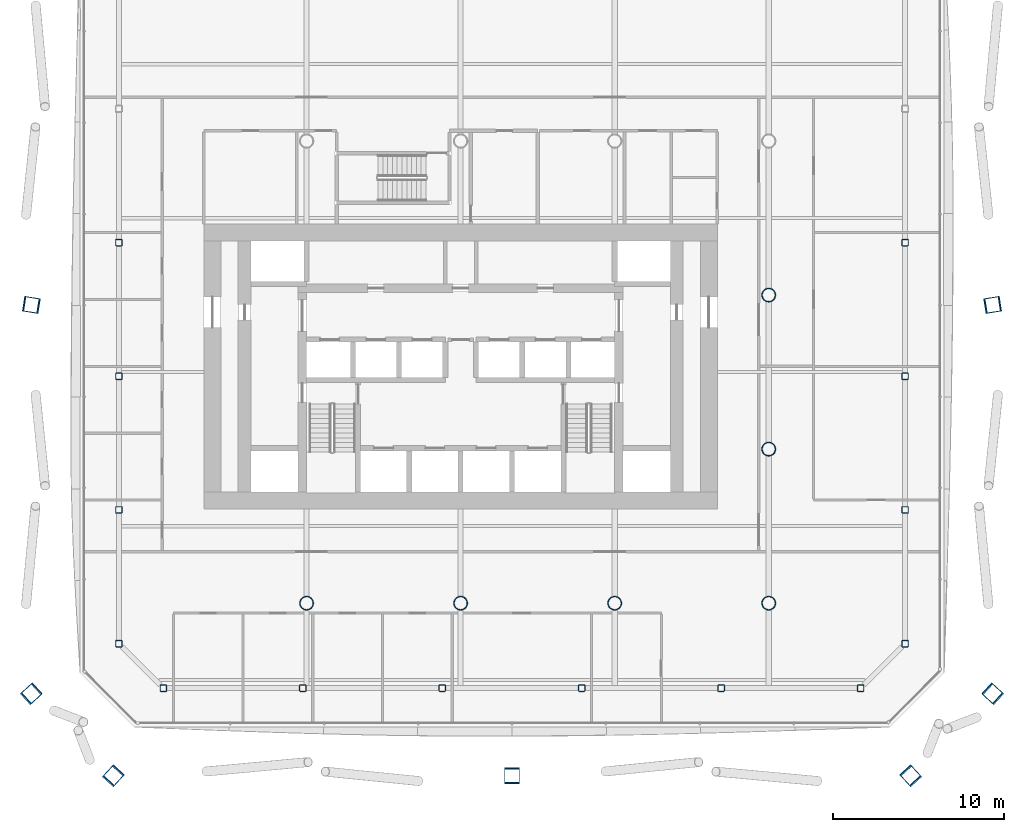
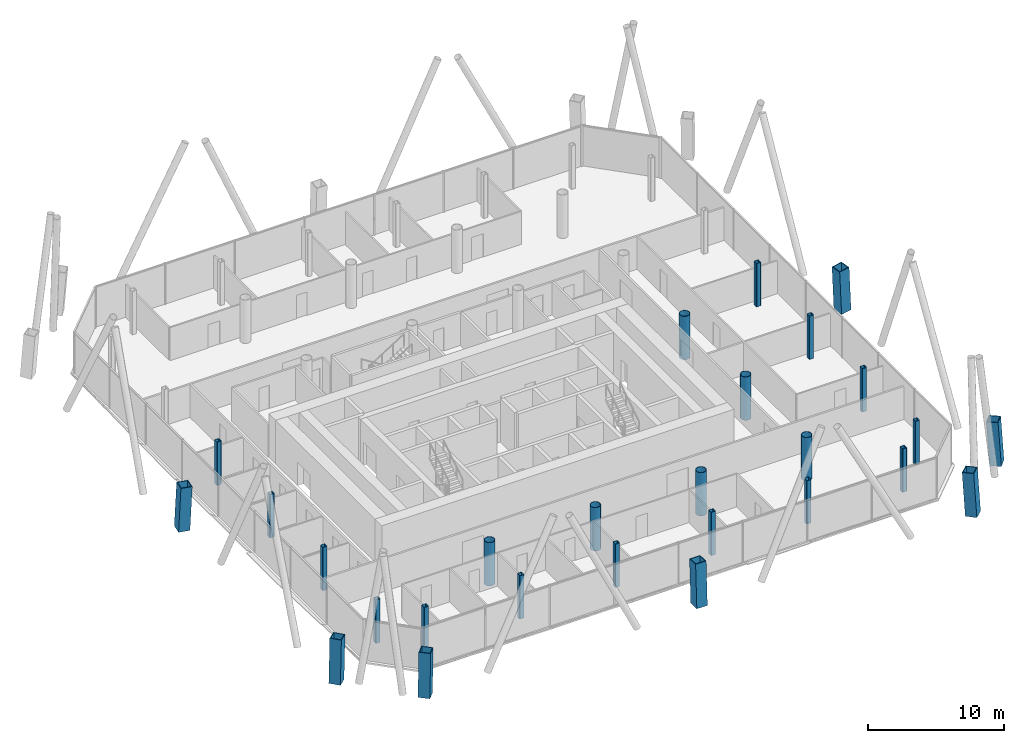
# One storey, part 1 of 22: 27 columns.
"""IFC4 building model written with IfcOpenShell, lengths in metres."""

import ifcopenshell
import ifcopenshell.guid

model = None  # the IFC model being written
_history = None  # IfcOwnerHistory: only IFC2X3 demands one
_inside = {}  # id of a spatial element -> (the spatial element, [elements in it])
_under = {}  # id of a project, library or spatial element -> (it, [spatial elements below it])
_declared = {}  # id of a project -> (the project, [libraries it declares])
_typed = {}  # id of a type object -> (the type object, [elements of that type])
_made_of = {}  # id of a material, layer set ... -> (it, [elements and type objects made of it])


def new_model(schema):
    """Start an empty IFC model of exactly this schema.

    Asked for "IFC4X3", IfcOpenShell would pick the latest addendum, in which some entities
    have other attributes; the version numbers below select the first issue.
    IFC2X3 requires an IfcOwnerHistory on every rooted entity: one is made here for all.
    """
    global model, _history
    if schema == "IFC4X3":
        model = ifcopenshell.file(schema_version=(4, 3, 0, 0))
    else:
        model = ifcopenshell.file(schema=schema)
    _inside.clear()
    _under.clear()
    _declared.clear()
    _typed.clear()
    _made_of.clear()
    _history = None
    if model.schema == "IFC2X3":
        org = make("IfcOrganization", Name="unknown")
        user = make(
            "IfcPersonAndOrganization",
            ThePerson=make("IfcPerson", FamilyName="unknown"),
            TheOrganization=org,
        )
        app = make(
            "IfcApplication",
            ApplicationDeveloper=org,
            Version="unknown",
            ApplicationFullName="unknown",
            ApplicationIdentifier="unknown",
        )
        _history = make(
            "IfcOwnerHistory",
            OwningUser=user,
            OwningApplication=app,
            ChangeAction="ADDED",
            CreationDate=0,
        )
    return model


def make(cls, **values):
    """One entity of the class cls with the attributes given. An attribute that is None is left unset."""
    return model.create_entity(
        cls, **{name: value for name, value in values.items() if value is not None}
    )


def rooted(cls, **values):
    """An entity with a GlobalId (a new one), such as an element, a storey or a relation."""
    return make(cls, GlobalId=ifcopenshell.guid.new(), OwnerHistory=_history, **values)


def si_unit(unit_type, name, prefix=None):
    """IfcSIUnit, for example si_unit("LENGTHUNIT", "METRE", prefix="MILLI")."""
    return make("IfcSIUnit", UnitType=unit_type, Prefix=prefix, Name=name)


def assignment(units):
    """IfcUnitAssignment: the units of a project."""
    return None if units is None else make("IfcUnitAssignment", Units=units)


def point(xyz):
    """IfcCartesianPoint."""
    return None if xyz is None else make("IfcCartesianPoint", Coordinates=xyz)


def direction(xyz):
    """IfcDirection."""
    return None if xyz is None else make("IfcDirection", DirectionRatios=xyz)


def frame(location, z_axis=None, x_axis=None):
    """IfcAxis2Placement3D, a coordinate frame: its origin and axes. An axis left out is left unset."""
    return make(
        "IfcAxis2Placement3D",
        Location=point(location),
        Axis=direction(z_axis),
        RefDirection=direction(x_axis),
    )


def frame_2d(location, x_axis=None):
    """IfcAxis2Placement2D, a coordinate frame in the plane: its origin and x axis."""
    return make(
        "IfcAxis2Placement2D", Location=point(location), RefDirection=direction(x_axis)
    )


def origin():
    """The frame at (0, 0, 0) with its axes left unset."""
    return frame((0.0, 0.0, 0.0))


def origin_2d():
    """The frame at (0, 0) in the plane with its x axis left unset."""
    return frame_2d((0.0, 0.0))


def place(relative_to, where):
    """IfcLocalPlacement: puts the frame where relative to a parent placement (None: the world)."""
    return make(
        "IfcLocalPlacement", PlacementRelTo=relative_to, RelativePlacement=where
    )


def context(
    kind, dimensions, precision=None, world=None, true_north=None, identifier=None
):
    """IfcGeometricRepresentationContext, for example the 3D "Model" context."""
    return make(
        "IfcGeometricRepresentationContext",
        ContextIdentifier=identifier,
        ContextType=kind,
        CoordinateSpaceDimension=dimensions,
        Precision=precision,
        WorldCoordinateSystem=world,
        TrueNorth=true_north,
    )


def subcontext(parent, identifier, kind, view, scale=None):
    """IfcGeometricRepresentationSubContext, for example "Body" below "Model"."""
    return make(
        "IfcGeometricRepresentationSubContext",
        ContextIdentifier=identifier,
        ContextType=kind,
        ParentContext=parent,
        TargetScale=scale,
        TargetView=view,
    )


def project(units=None, contexts=None):
    """IfcProject with its units and contexts."""
    return rooted(
        "IfcProject",
        Name="project",
        RepresentationContexts=contexts,
        UnitsInContext=assignment(units),
    )


def spatial(cls, under=None, at=None, **own):
    """A site, building, storey or space (cls), placed at a placement, below another one or the project."""
    s = rooted(cls, ObjectPlacement=at, **own)
    if under is not None:
        _under.setdefault(under.id(), (under, []))[1].append(s)
    return s


def profile(cls, at=None, kind="AREA", **sizes):
    """A parametric profile (cls). Its sizes go by their IFC names, for example OverallWidth=200.0."""
    return make(cls, ProfileType=kind, Position=at, **sizes)


def hollow_rectangle(**sizes):
    """IfcRectangleHollowProfileDef."""
    return profile("IfcRectangleHollowProfileDef", **sizes)


def hollow_circle(**sizes):
    """IfcCircleHollowProfileDef."""
    return profile("IfcCircleHollowProfileDef", **sizes)


def extrude(swept, where, along, depth):
    """IfcExtrudedAreaSolid: the profile swept, set in the frame where, extruded along a direction by depth."""
    return make(
        "IfcExtrudedAreaSolid",
        SweptArea=swept,
        Position=where,
        ExtrudedDirection=direction(along),
        Depth=depth,
    )


def shape(context_of_items, identifier, shape_type, items):
    """IfcShapeRepresentation: the items that make up one representation, for example the "Body"."""
    return make(
        "IfcShapeRepresentation",
        ContextOfItems=context_of_items,
        RepresentationIdentifier=identifier,
        RepresentationType=shape_type,
        Items=items,
    )


def material(Name=None, Category=None):
    """IfcMaterial."""
    return make("IfcMaterial", Name=Name, Category=Category)


def material_profile(
    of_material, cross_section, Name=None, Category=None, Priority=None
):
    """IfcMaterialProfile: a cross section and its material."""
    return make(
        "IfcMaterialProfile",
        Name=Name,
        Material=of_material,
        Profile=cross_section,
        Priority=Priority,
        Category=Category,
    )


def profile_set(profiles, Name=None, composite=None):
    """IfcMaterialProfileSet."""
    return make(
        "IfcMaterialProfileSet",
        Name=Name,
        MaterialProfiles=profiles,
        CompositeProfile=composite,
    )


def made_of(thing, what):
    """Note that an element or type object is made of a material, layer set ...; save() writes the relation."""
    if what is not None:
        _made_of.setdefault(what.id(), (what, []))[1].append(thing)
    return thing


def type_object(cls, material=None, **own):
    """A type object (cls), such as IfcWallType, which elements share."""
    return made_of(rooted(cls, **own), material)


def element(
    cls,
    number,
    at=None,
    inside=None,
    cuts=None,
    type_object=None,
    material=None,
    context=None,
    identifier="Body",
    shape_type=None,
    held_by="IfcProductDefinitionShape",
    body=None,
    shapes=None,
    **own,
):
    """One element of the class cls, such as IfcWall. Its Tag is "e" and its number.

    at: its placement. inside: the storey or other place that contains it. cuts: it is an
    opening in that element (IfcRelVoidsElement). A single representation is given by context,
    identifier, shape_type and body (its items); several are given by shapes. held_by: the class
    of the entity that holds the representations. save() writes the other relations.
    """
    e = rooted(cls, Tag="e%d" % number, ObjectPlacement=at, **own)
    if body is not None:
        shapes = [shape(context, identifier, shape_type, body)]
    if shapes is not None:
        e.Representation = make(held_by, Representations=shapes)
    if inside is not None:
        _inside.setdefault(inside.id(), (inside, []))[1].append(e)
    if cuts is not None:
        rooted(
            "IfcRelVoidsElement", RelatingBuildingElement=cuts, RelatedOpeningElement=e
        )
    if type_object is not None:
        _typed.setdefault(type_object.id(), (type_object, []))[1].append(e)
    return made_of(e, material)


def aggregate(whole, parts):
    """IfcRelAggregates: a whole, such as a stair, and the parts it consists of."""
    return rooted("IfcRelAggregates", RelatingObject=whole, RelatedObjects=parts)


def save(model, path):
    """Write the relations noted so far, then the file.

    IfcRelAggregates (storeys below a building ...), IfcRelContainedInSpatialStructure (elements
    in a storey), IfcRelDefinesByType, IfcRelAssociatesMaterial and IfcRelDeclares: one each for
    every whole, place, type object, material and project.
    """
    for whole, parts in _under.values():
        aggregate(whole, parts)
    for where, things in _inside.values():
        rooted(
            "IfcRelContainedInSpatialStructure",
            RelatedElements=things,
            RelatingStructure=where,
        )
    for kind, things in _typed.values():
        rooted("IfcRelDefinesByType", RelatedObjects=things, RelatingType=kind)
    for what, things in _made_of.values():
        rooted("IfcRelAssociatesMaterial", RelatedObjects=things, RelatingMaterial=what)
    for by, libraries in _declared.values():
        rooted("IfcRelDeclares", RelatingContext=by, RelatedDefinitions=libraries)
    model.write(path)


model = new_model("IFC4")

# Units and contexts
model_context = context("Model", 3, precision=1e-05, world=origin(), true_north=direction((0.0, 1.0)))
body_context = subcontext(model_context, "Body", "Model", "MODEL_VIEW")
ifc_project = project(units=[si_unit("LENGTHUNIT", "METRE"), si_unit("AREAUNIT", "SQUARE_METRE"), si_unit("VOLUMEUNIT", "CUBIC_METRE"), si_unit("PLANEANGLEUNIT", "RADIAN"), si_unit("MASSUNIT", "GRAM", prefix="KILO")], contexts=[model_context])

# Site, building, storey
site_placement = place(None, origin())
site = spatial("IfcSite", under=ifc_project, at=site_placement, CompositionType="ELEMENT")
building_placement = place(site_placement, origin())
building = spatial("IfcBuilding", under=site, at=building_placement, Name="Tskaro Facet Tower", CompositionType="ELEMENT")
storey_placement = place(building_placement, frame((0.0, 0.0, 73.800048828125)))
storey = spatial("IfcBuildingStorey", under=building, at=storey_placement, Name="L17", CompositionType="ELEMENT", Elevation=73.800048828125)

# Columns
ifc_material_1 = material(Name="Steel S460M", Category="steel")
ifc_material_profile_1 = material_profile(ifc_material_1, hollow_rectangle(XDim=0.89990234375, YDim=0.89990234375, WallThickness=0.054931640625, at=origin_2d()), Name="BOX 900x900x55")
ifc_profile_set_1 = profile_set([ifc_material_profile_1], Name="Steel S460M")
column_type_1 = type_object("IfcColumnType", Name="BOX 900x900x55 mega column", PredefinedType="COLUMN", material=ifc_profile_set_1)
column_1_placement = place(storey_placement, frame((-20.31591796875, -28.111083984375, 0.0), z_axis=(0.042733391289, 0.046856788695, 0.997987123475), x_axis=(-0.738869281565, 0.673848784787, 0.0)))
element("IfcColumn", 1, at=column_1_placement, inside=storey, type_object=column_type_1, Name="BOX 900x900x55 MC01/2", PredefinedType="COLUMN", context=body_context, shape_type="SweptSolid", body=[
    extrude(hollow_rectangle(XDim=0.89990234375, YDim=0.89990234375, WallThickness=0.054931640625, at=origin_2d()), origin(), (0.0, 0.0, 1.0), 3.90771484375),
])
column_2_placement = place(storey_placement, frame((3.0, -28.111083984375, 0.0), z_axis=(0.0, 0.046899630973, 0.998899606875), x_axis=(-1.0, 0.0, 0.0)))
element("IfcColumn", 2, at=column_2_placement, inside=storey, type_object=column_type_1, Name="BOX 900x900x55 MC02/2", PredefinedType="COLUMN", context=body_context, shape_type="SweptSolid", body=[
    extrude(hollow_rectangle(XDim=0.89990234375, YDim=0.89990234375, WallThickness=0.054931640625, at=origin_2d()), origin(), (0.0, 0.0, 1.0), 3.904296875),
])
for number, where, z_axis, x_axis, name in (
    (3, (26.31591796875, -28.111083984375, 0.0), (-0.042733391289, 0.046856788695, 0.997987123475), (-0.738869281565, -0.673848784787, 0.0), "BOX 900x900x55 MC03/2"),
    (4, (31.111083984375, -23.31591796875, 0.0), (-0.046856788695, 0.042733391289, 0.997987123475), (-0.673848784787, -0.738869281565, 0.0), "BOX 900x900x55 MC04/2"),
):
    element("IfcColumn", number, at=place(storey_placement, frame(where, z_axis=z_axis, x_axis=x_axis)), inside=storey, type_object=column_type_1, Name=name, PredefinedType="COLUMN", context=body_context, shape_type="SweptSolid", body=[
        extrude(hollow_rectangle(XDim=0.89990234375, YDim=0.89990234375, WallThickness=0.054931640625, at=origin_2d()), origin(), (0.0, 0.0, 1.0), 3.90771484375),
    ])
for number, where, z_axis, x_axis, name in (
    (5, (31.111083984375, -0.568115234375, 0.0), (-0.046898266212, -0.007628784637, 0.998870539295), (0.160556339519, -0.98702667737, 0.0), "BOX 900x900x55 MC05/2"),
    (6, (-25.111083984375, -0.568115234375, 0.0), (0.046898266212, -0.007628784637, 0.998870539295), (0.160556339519, 0.98702667737, 0.0), "BOX 900x900x55 MC11/2"),
):
    element("IfcColumn", number, at=place(storey_placement, frame(where, z_axis=z_axis, x_axis=x_axis)), inside=storey, type_object=column_type_1, Name=name, PredefinedType="COLUMN", context=body_context, shape_type="SweptSolid", body=[
        extrude(hollow_rectangle(XDim=0.89990234375, YDim=0.89990234375, WallThickness=0.054931640625, at=origin_2d()), origin(), (0.0, 0.0, 1.0), 3.904296875),
    ])
column_3_placement = place(storey_placement, frame((-25.111083984375, -23.31591796875, 0.0), z_axis=(0.046856788695, 0.042733391289, 0.997987123475), x_axis=(-0.673848784787, 0.738869281565, 0.0)))
element("IfcColumn", 7, at=column_3_placement, inside=storey, type_object=column_type_1, Name="BOX 900x900x55 MC12/2", PredefinedType="COLUMN", context=body_context, shape_type="SweptSolid", body=[
    extrude(hollow_rectangle(XDim=0.89990234375, YDim=0.89990234375, WallThickness=0.054931640625, at=origin_2d()), origin(), (0.0, 0.0, 1.0), 3.90771484375),
])
ifc_material_2 = material(Name="Steel S355J2H", Category="steel")
ifc_material_profile_2 = material_profile(ifc_material_2, hollow_circle(Radius=0.406494140625, WallThickness=0.035888671875, at=origin_2d()), Name="CHS 812.8x36")
ifc_profile_set_2 = profile_set([ifc_material_profile_2], Name="Steel S355J2H")
column_type_2 = type_object("IfcColumnType", Name="CHS 812.8x36 interior column", PredefinedType="COLUMN", material=ifc_profile_set_2)
for number, where, z_axis, x_axis, name in (
    (8, (-9.0, -18.0, 0.0), (0.0, 0.0, 1.0), (1.0, 0.0, 0.0), "CHS 812.8x36 C3B/2"),
    (9, (0.0, -18.0, 0.0), (0.0, 0.0, 1.0), (1.0, 0.0, 0.0), "CHS 812.8x36 C4B/2"),
    (10, (9.0, -18.0, 0.0), (0.0, 0.0, 1.0), (1.0, 0.0, 0.0), "CHS 812.8x36 C5B/2"),
    (11, (18.0, -18.0, 0.0), (0.0, 0.0, 1.0), (1.0, 0.0, 0.0), "CHS 812.8x36 C6B/2"),
    (12, (18.0, -9.0, 0.0), (0.0, 0.0, 1.0), (1.0, 0.0, 0.0), "CHS 812.8x36 C6C/2"),
    (13, (18.0, 0.0, 0.0), (0.0, 0.0, 1.0), (1.0, 0.0, 0.0), "CHS 812.8x36 C6D/2"),
):
    element("IfcColumn", number, at=place(storey_placement, frame(where, z_axis=z_axis, x_axis=x_axis)), inside=storey, type_object=column_type_2, Name=name, PredefinedType="COLUMN", context=body_context, shape_type="SweptSolid", body=[
        extrude(hollow_circle(Radius=0.406494140625, WallThickness=0.035888671875, at=origin_2d()), origin(), (0.0, 0.0, 1.0), 3.89990234375),
    ])
ifc_material_profile_3 = material_profile(ifc_material_2, hollow_rectangle(XDim=0.39990234375, YDim=0.39990234375, WallThickness=0.02490234375, InnerFilletRadius=0.03759765625, OuterFilletRadius=0.0625, at=origin_2d()), Name="SHS 400x400x25")
ifc_profile_set_3 = profile_set([ifc_material_profile_3], Name="Steel S355J2H")
column_type_3 = type_object("IfcColumnType", Name="SHS 400x400x25 ring column", PredefinedType="COLUMN", material=ifc_profile_set_3)
for number, where, z_axis, x_axis, name in (
    (14, (-17.364013671875, -22.965087890625, 0.0), (0.0, 0.0, 1.0), (1.0, 0.0, 0.0), "SHS 400x400x25 RS-1/2"),
    (15, (-9.218017578125, -22.965087890625, 0.0), (0.0, 0.0, 1.0), (1.0, 0.0, 0.0), "SHS 400x400x25 RS-2/2"),
    (16, (-1.072998046875, -22.965087890625, 0.0), (0.0, 0.0, 1.0), (1.0, 0.0, 0.0), "SHS 400x400x25 RS-3/2"),
    (17, (7.072998046875, -22.965087890625, 0.0), (0.0, 0.0, 1.0), (1.0, 0.0, 0.0), "SHS 400x400x25 RS-4/2"),
    (18, (15.218017578125, -22.965087890625, 0.0), (0.0, 0.0, 1.0), (1.0, 0.0, 0.0), "SHS 400x400x25 RS-5/2"),
    (19, (23.364013671875, -22.965087890625, 0.0), (0.0, 0.0, 1.0), (1.0, 0.0, 0.0), "SHS 400x400x25 RSE-1/2"),
    (20, (25.965087890625, -20.364013671875, 0.0), (0.0, 0.0, 1.0), (1.0, 0.0, 0.0), "SHS 400x400x25 RE-1/2"),
    (21, (25.965087890625, -12.552978515625, 0.0), (0.0, 0.0, 1.0), (1.0, 0.0, 0.0), "SHS 400x400x25 RE-2/2"),
    (22, (25.965087890625, -4.741943359375, 0.0), (0.0, 0.0, 1.0), (1.0, 0.0, 0.0), "SHS 400x400x25 RE-3/2"),
    (23, (25.965087890625, 3.068115234375, 0.0), (0.0, 0.0, 1.0), (1.0, 0.0, 0.0), "SHS 400x400x25 RE-4/2"),
    (24, (-19.965087890625, 3.068115234375, 0.0), (0.0, 0.0, 1.0), (1.0, 0.0, 0.0), "SHS 400x400x25 RW-3/2"),
    (25, (-19.965087890625, -4.741943359375, 0.0), (0.0, 0.0, 1.0), (1.0, 0.0, 0.0), "SHS 400x400x25 RW-4/2"),
    (26, (-19.965087890625, -12.552978515625, 0.0), (0.0, 0.0, 1.0), (1.0, 0.0, 0.0), "SHS 400x400x25 RW-5/2"),
    (27, (-19.965087890625, -20.364013671875, 0.0), (0.0, 0.0, 1.0), (1.0, 0.0, 0.0), "SHS 400x400x25 RSW-1/2"),
):
    element("IfcColumn", number, at=place(storey_placement, frame(where, z_axis=z_axis, x_axis=x_axis)), inside=storey, type_object=column_type_3, Name=name, PredefinedType="COLUMN", context=body_context, shape_type="SweptSolid", body=[
        extrude(hollow_rectangle(XDim=0.39990234375, YDim=0.39990234375, WallThickness=0.02490234375, InnerFilletRadius=0.03759765625, OuterFilletRadius=0.0625, at=origin_2d()), origin(), (0.0, 0.0, 1.0), 3.89990234375),
    ])

save(model, "model.ifc")
